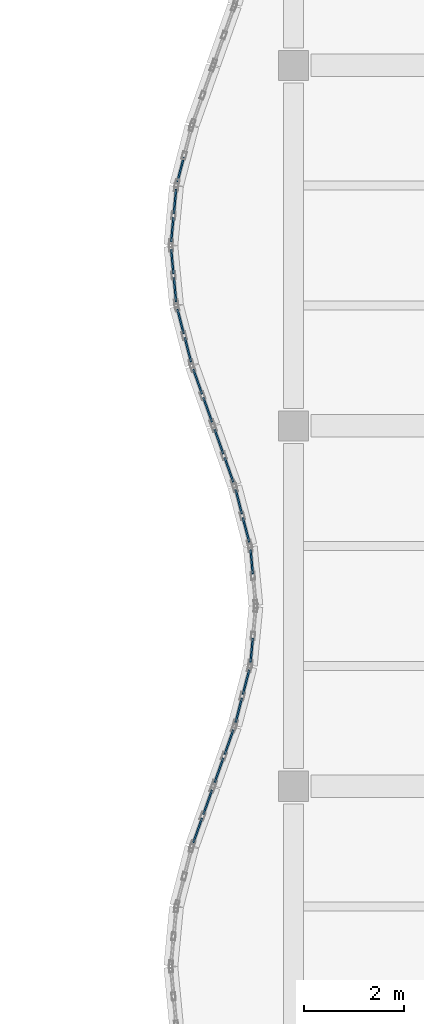
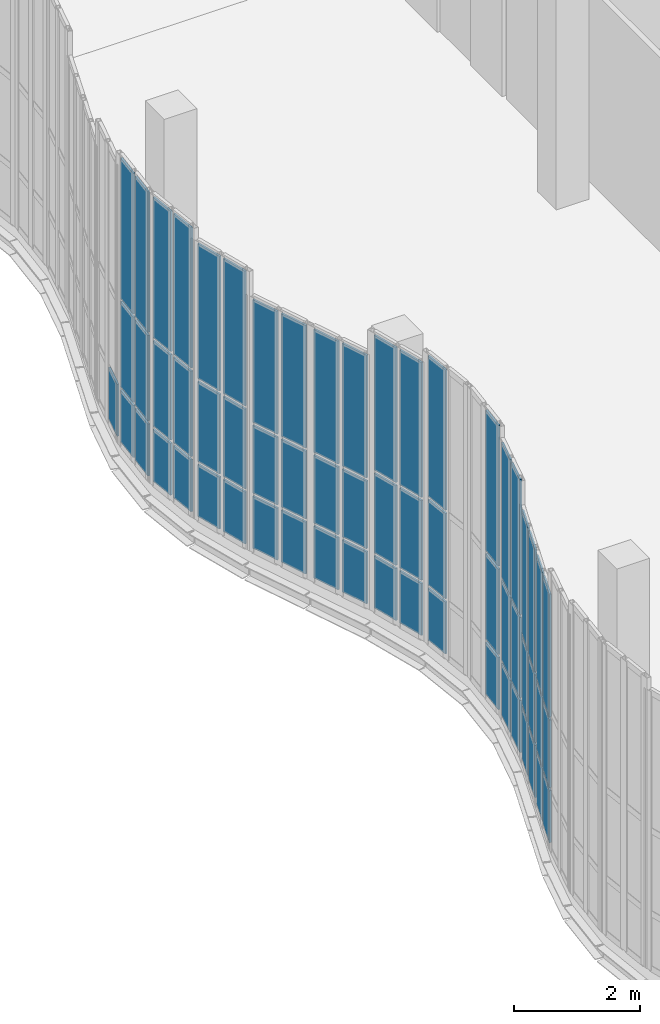
# One storey, part 73 of 105: 61 plates, 12 elements without a shape of their own.
"""IFC4 building model written with IfcOpenShell, lengths in metres."""

from ifc_helpers import new_model, si_unit, direction, frame, origin, origin_2d, place, context, subcontext, project, spatial, rectangle, extrude, material, layer, layer_set, type_object, element, aggregate, save


model = new_model("IFC4")

# Units and contexts
model_context = context("Model", 3, precision=1e-05, world=origin(), true_north=direction((0.0, 1.0)))
body_context = subcontext(model_context, "Body", "Model", "MODEL_VIEW")
ifc_project = project(units=[si_unit("LENGTHUNIT", "METRE"), si_unit("AREAUNIT", "SQUARE_METRE"), si_unit("VOLUMEUNIT", "CUBIC_METRE"), si_unit("PLANEANGLEUNIT", "RADIAN"), si_unit("MASSUNIT", "GRAM", prefix="KILO"), si_unit("THERMODYNAMICTEMPERATUREUNIT", "KELVIN"), si_unit("POWERUNIT", "WATT")], contexts=[model_context])

# Site, building, storey
site_placement = place(None, origin())
site = spatial("IfcSite", under=ifc_project, at=site_placement, CompositionType="ELEMENT")
building_placement = place(site_placement, origin())
building = spatial("IfcBuilding", under=site, at=building_placement, Name="Kaldorven Railside Theatre", CompositionType="ELEMENT")
storey_placement = place(building_placement, frame((0.0, 0.0, 9.89990234375)))
storey = spatial("IfcBuildingStorey", under=building, at=storey_placement, Name="L02", CompositionType="ELEMENT", Elevation=9.89990234375)

# Curtain wall, plates
ifc_material = material(Name="Low-E laminated solar-control glass", Category="glass")
ifc_layer_1 = layer(ifc_material, 0.159912109375, Name="Low-E laminated solar-control glass")
ifc_layer_set_1 = layer_set([ifc_layer_1], Name="Low-E laminated solar-control glass")
curtain_wall_type_1 = type_object("IfcCurtainWallType", Name="CWT-22", PredefinedType="USERDEFINED", material=ifc_layer_set_1)
curtain_wall_1_placement = place(storey_placement, origin())
curtain_wall_1 = element("IfcCurtainWall", 1, at=curtain_wall_1_placement, inside=storey, type_object=curtain_wall_type_1, Name="Sinusoidal Fluted Curtain Wall CW-L02-W06", ObjectType="FLUTED GLAZING", PredefinedType="USERDEFINED")
ifc_layer_2 = layer(ifc_material, 0.035888671875, Name="Low-E laminated solar-control glass")
ifc_layer_set_2 = layer_set([ifc_layer_2], Name="Low-E laminated solar-control glass")
plate_type = type_object("IfcPlateType", Name="CWP-CREST36", PredefinedType="CURTAIN_PANEL", material=ifc_layer_set_2)
plate_1_placement = place(storey_placement, frame((70.887939453125, 47.118896484375, 0.06005859375), z_axis=(0.0, 0.0, 1.0), x_axis=(0.33384714225, 0.942627225159, 0.0)))
plate_1 = element("IfcPlate", 2, at=plate_1_placement, type_object=plate_type, Name="CW-L02-W06 panel 1.1", PredefinedType="CURTAIN_PANEL", context=body_context, shape_type="SweptSolid", body=[
    extrude(rectangle(XDim=0.5166015625, YDim=0.035888671875, at=origin_2d()), origin(), (0.0, 0.0, 1.0), 1.010009765625),
])
plate_2_placement = place(storey_placement, frame((70.887939453125, 47.118896484375, 1.130126953125), z_axis=(0.0, 0.0, 1.0), x_axis=(0.33384714225, 0.942627225159, 0.0)))
plate_2 = element("IfcPlate", 3, at=plate_2_placement, type_object=plate_type, Name="CW-L02-W06 panel 1.2", PredefinedType="CURTAIN_PANEL", context=body_context, shape_type="SweptSolid", body=[
    extrude(rectangle(XDim=0.5166015625, YDim=0.035888671875, at=origin_2d()), origin(), (0.0, 0.0, 1.0), 1.31494140625),
])
plate_3_placement = place(storey_placement, frame((70.887939453125, 47.118896484375, 2.5048828125), z_axis=(0.0, 0.0, 1.0), x_axis=(0.33384714225, 0.942627225159, 0.0)))
plate_3 = element("IfcPlate", 4, at=plate_3_placement, type_object=plate_type, Name="CW-L02-W06 panel 1.3", PredefinedType="CURTAIN_PANEL", context=body_context, shape_type="SweptSolid", body=[
    extrude(rectangle(XDim=0.5166015625, YDim=0.035888671875, at=origin_2d()), origin(), (0.0, 0.0, 1.0), 2.385009765625),
])
plate_4_placement = place(storey_placement, frame((71.087158203125, 47.68115234375, 0.06005859375), z_axis=(0.0, 0.0, 1.0), x_axis=(0.33384714225, 0.942627225159, 0.0)))
plate_4 = element("IfcPlate", 5, at=plate_4_placement, type_object=plate_type, Name="CW-L02-W06 panel 2.1", PredefinedType="CURTAIN_PANEL", context=body_context, shape_type="SweptSolid", body=[
    extrude(rectangle(XDim=0.5166015625, YDim=0.035888671875, at=origin_2d()), origin(), (0.0, 0.0, 1.0), 1.010009765625),
])
plate_5_placement = place(storey_placement, frame((71.087158203125, 47.68115234375, 1.130126953125), z_axis=(0.0, 0.0, 1.0), x_axis=(0.33384714225, 0.942627225159, 0.0)))
plate_5 = element("IfcPlate", 6, at=plate_5_placement, type_object=plate_type, Name="CW-L02-W06 panel 2.2", PredefinedType="CURTAIN_PANEL", context=body_context, shape_type="SweptSolid", body=[
    extrude(rectangle(XDim=0.5166015625, YDim=0.035888671875, at=origin_2d()), origin(), (0.0, 0.0, 1.0), 1.31494140625),
])
plate_6_placement = place(storey_placement, frame((71.087158203125, 47.68115234375, 2.5048828125), z_axis=(0.0, 0.0, 1.0), x_axis=(0.33384714225, 0.942627225159, 0.0)))
plate_6 = element("IfcPlate", 7, at=plate_6_placement, type_object=plate_type, Name="CW-L02-W06 panel 2.3", PredefinedType="CURTAIN_PANEL", context=body_context, shape_type="SweptSolid", body=[
    extrude(rectangle(XDim=0.5166015625, YDim=0.035888671875, at=origin_2d()), origin(), (0.0, 0.0, 1.0), 2.385009765625),
])
aggregate(curtain_wall_1, [plate_1, plate_2, plate_3, plate_4, plate_5, plate_6])

curtain_wall_2_placement = place(storey_placement, origin())
curtain_wall_2 = element("IfcCurtainWall", 8, at=curtain_wall_2_placement, inside=storey, type_object=curtain_wall_type_1, Name="Sinusoidal Fluted Curtain Wall CW-L02-W07", ObjectType="FLUTED GLAZING", PredefinedType="USERDEFINED")
plate_7_placement = place(storey_placement, frame((71.31298828125, 48.31884765625, 0.06005859375), z_axis=(0.0, 0.0, 1.0), x_axis=(0.33384714225, 0.942627225159, 0.0)))
plate_7 = element("IfcPlate", 9, at=plate_7_placement, type_object=plate_type, Name="CW-L02-W07 panel 1.1", PredefinedType="CURTAIN_PANEL", context=body_context, shape_type="SweptSolid", body=[
    extrude(rectangle(XDim=0.5166015625, YDim=0.035888671875, at=origin_2d()), origin(), (0.0, 0.0, 1.0), 1.010009765625),
])
plate_8_placement = place(storey_placement, frame((71.31298828125, 48.31884765625, 1.130126953125), z_axis=(0.0, 0.0, 1.0), x_axis=(0.33384714225, 0.942627225159, 0.0)))
plate_8 = element("IfcPlate", 10, at=plate_8_placement, type_object=plate_type, Name="CW-L02-W07 panel 1.2", PredefinedType="CURTAIN_PANEL", context=body_context, shape_type="SweptSolid", body=[
    extrude(rectangle(XDim=0.5166015625, YDim=0.035888671875, at=origin_2d()), origin(), (0.0, 0.0, 1.0), 1.31494140625),
])
plate_9_placement = place(storey_placement, frame((71.31298828125, 48.31884765625, 2.5048828125), z_axis=(0.0, 0.0, 1.0), x_axis=(0.33384714225, 0.942627225159, 0.0)))
plate_9 = element("IfcPlate", 11, at=plate_9_placement, type_object=plate_type, Name="CW-L02-W07 panel 1.3", PredefinedType="CURTAIN_PANEL", context=body_context, shape_type="SweptSolid", body=[
    extrude(rectangle(XDim=0.5166015625, YDim=0.035888671875, at=origin_2d()), origin(), (0.0, 0.0, 1.0), 2.385009765625),
])
plate_10_placement = place(storey_placement, frame((71.511962890625, 48.881103515625, 0.06005859375), z_axis=(0.0, 0.0, 1.0), x_axis=(0.33384714225, 0.942627225159, 0.0)))
plate_10 = element("IfcPlate", 12, at=plate_10_placement, type_object=plate_type, Name="CW-L02-W07 panel 2.1", PredefinedType="CURTAIN_PANEL", context=body_context, shape_type="SweptSolid", body=[
    extrude(rectangle(XDim=0.5166015625, YDim=0.035888671875, at=origin_2d()), origin(), (0.0, 0.0, 1.0), 1.010009765625),
])
plate_11_placement = place(storey_placement, frame((71.511962890625, 48.881103515625, 1.130126953125), z_axis=(0.0, 0.0, 1.0), x_axis=(0.33384714225, 0.942627225159, 0.0)))
plate_11 = element("IfcPlate", 13, at=plate_11_placement, type_object=plate_type, Name="CW-L02-W07 panel 2.2", PredefinedType="CURTAIN_PANEL", context=body_context, shape_type="SweptSolid", body=[
    extrude(rectangle(XDim=0.5166015625, YDim=0.035888671875, at=origin_2d()), origin(), (0.0, 0.0, 1.0), 1.31494140625),
])
plate_12_placement = place(storey_placement, frame((71.511962890625, 48.881103515625, 2.5048828125), z_axis=(0.0, 0.0, 1.0), x_axis=(0.33384714225, 0.942627225159, 0.0)))
plate_12 = element("IfcPlate", 14, at=plate_12_placement, type_object=plate_type, Name="CW-L02-W07 panel 2.3", PredefinedType="CURTAIN_PANEL", context=body_context, shape_type="SweptSolid", body=[
    extrude(rectangle(XDim=0.5166015625, YDim=0.035888671875, at=origin_2d()), origin(), (0.0, 0.0, 1.0), 2.385009765625),
])
aggregate(curtain_wall_2, [plate_7, plate_8, plate_9, plate_10, plate_11, plate_12])

ifc_layer_3 = layer(ifc_material, 0.159912109375, Name="Low-E laminated solar-control glass")
ifc_layer_set_3 = layer_set([ifc_layer_3], Name="Low-E laminated solar-control glass")
curtain_wall_type_2 = type_object("IfcCurtainWallType", Name="CWT-23", PredefinedType="USERDEFINED", material=ifc_layer_set_3)
curtain_wall_3_placement = place(storey_placement, origin())
curtain_wall_3 = element("IfcCurtainWall", 15, at=curtain_wall_3_placement, inside=storey, type_object=curtain_wall_type_2, Name="Sinusoidal Fluted Curtain Wall CW-L02-W08", ObjectType="FLUTED GLAZING", PredefinedType="USERDEFINED")
plate_13_placement = place(storey_placement, frame((71.707763671875, 49.519287109375, 0.06005859375), z_axis=(0.0, 0.0, 1.0), x_axis=(0.250953760326, 0.967999075505, 0.0)))
plate_13 = element("IfcPlate", 16, at=plate_13_placement, type_object=plate_type, Name="CW-L02-W08 panel 1.1", PredefinedType="CURTAIN_PANEL", context=body_context, shape_type="SweptSolid", body=[
    extrude(rectangle(XDim=0.499755859375, YDim=0.035888671875, at=origin_2d()), origin(), (0.0, 0.0, 1.0), 1.010009765625),
])
plate_14_placement = place(storey_placement, frame((71.707763671875, 49.519287109375, 1.1298828125), z_axis=(0.0, 0.0, 1.0), x_axis=(0.250953760326, 0.967999075505, 0.0)))
plate_14 = element("IfcPlate", 17, at=plate_14_placement, type_object=plate_type, Name="CW-L02-W08 panel 1.2", PredefinedType="CURTAIN_PANEL", context=body_context, shape_type="SweptSolid", body=[
    extrude(rectangle(XDim=0.499755859375, YDim=0.035888671875, at=origin_2d()), origin(), (0.0, 0.0, 1.0), 1.550048828125),
])
plate_15_placement = place(storey_placement, frame((71.707763671875, 49.519287109375, 2.739990234375), z_axis=(0.0, 0.0, 1.0), x_axis=(0.250953760326, 0.967999075505, 0.0)))
plate_15 = element("IfcPlate", 18, at=plate_15_placement, type_object=plate_type, Name="CW-L02-W08 panel 1.3", PredefinedType="CURTAIN_PANEL", context=body_context, shape_type="SweptSolid", body=[
    extrude(rectangle(XDim=0.499755859375, YDim=0.035888671875, at=origin_2d()), origin(), (0.0, 0.0, 1.0), 2.6201171875),
])
plate_16_placement = place(storey_placement, frame((71.853271484375, 50.08056640625, 0.06005859375), z_axis=(0.0, 0.0, 1.0), x_axis=(0.250953760326, 0.967999075505, 0.0)))
plate_16 = element("IfcPlate", 19, at=plate_16_placement, type_object=plate_type, Name="CW-L02-W08 panel 2.1", PredefinedType="CURTAIN_PANEL", context=body_context, shape_type="SweptSolid", body=[
    extrude(rectangle(XDim=0.499755859375, YDim=0.035888671875, at=origin_2d()), origin(), (0.0, 0.0, 1.0), 1.010009765625),
])
plate_17_placement = place(storey_placement, frame((71.853271484375, 50.08056640625, 1.1298828125), z_axis=(0.0, 0.0, 1.0), x_axis=(0.250953760326, 0.967999075505, 0.0)))
plate_17 = element("IfcPlate", 20, at=plate_17_placement, type_object=plate_type, Name="CW-L02-W08 panel 2.2", PredefinedType="CURTAIN_PANEL", context=body_context, shape_type="SweptSolid", body=[
    extrude(rectangle(XDim=0.499755859375, YDim=0.035888671875, at=origin_2d()), origin(), (0.0, 0.0, 1.0), 1.550048828125),
])
plate_18_placement = place(storey_placement, frame((71.853271484375, 50.08056640625, 2.739990234375), z_axis=(0.0, 0.0, 1.0), x_axis=(0.250953760326, 0.967999075505, 0.0)))
plate_18 = element("IfcPlate", 21, at=plate_18_placement, type_object=plate_type, Name="CW-L02-W08 panel 2.3", PredefinedType="CURTAIN_PANEL", context=body_context, shape_type="SweptSolid", body=[
    extrude(rectangle(XDim=0.499755859375, YDim=0.035888671875, at=origin_2d()), origin(), (0.0, 0.0, 1.0), 2.6201171875),
])
aggregate(curtain_wall_3, [plate_13, plate_14, plate_15, plate_16, plate_17, plate_18])

ifc_layer_4 = layer(ifc_material, 0.159912109375, Name="Low-E laminated solar-control glass")
ifc_layer_set_4 = layer_set([ifc_layer_4], Name="Low-E laminated solar-control glass")
curtain_wall_type_3 = type_object("IfcCurtainWallType", Name="CWT-24", PredefinedType="USERDEFINED", material=ifc_layer_set_4)
curtain_wall_4_placement = place(storey_placement, origin())
curtain_wall_4 = element("IfcCurtainWall", 22, at=curtain_wall_4_placement, inside=storey, type_object=curtain_wall_type_3, Name="Sinusoidal Fluted Curtain Wall CW-L02-W09", ObjectType="FLUTED GLAZING", PredefinedType="USERDEFINED")
plate_19_placement = place(storey_placement, frame((71.966552734375, 50.719970703125, 0.06005859375), z_axis=(0.0, 0.0, 1.0), x_axis=(0.094491973758, 0.995525623425, 0.0)))
plate_19 = element("IfcPlate", 23, at=plate_19_placement, type_object=plate_type, Name="CW-L02-W09 panel 1.1", PredefinedType="CURTAIN_PANEL", context=body_context, shape_type="SweptSolid", body=[
    extrude(rectangle(XDim=0.482666015625, YDim=0.035888671875, at=origin_2d()), origin(), (0.0, 0.0, 1.0), 1.010009765625),
])
plate_20_placement = place(storey_placement, frame((71.966552734375, 50.719970703125, 1.13037109375), z_axis=(0.0, 0.0, 1.0), x_axis=(0.094491973758, 0.995525623425, 0.0)))
plate_20 = element("IfcPlate", 24, at=plate_20_placement, type_object=plate_type, Name="CW-L02-W09 panel 1.2", PredefinedType="CURTAIN_PANEL", context=body_context, shape_type="SweptSolid", body=[
    extrude(rectangle(XDim=0.482666015625, YDim=0.035888671875, at=origin_2d()), origin(), (0.0, 0.0, 1.0), 1.659912109375),
])
plate_21_placement = place(storey_placement, frame((71.966552734375, 50.719970703125, 2.85009765625), z_axis=(0.0, 0.0, 1.0), x_axis=(0.094491973758, 0.995525623425, 0.0)))
plate_21 = element("IfcPlate", 25, at=plate_21_placement, type_object=plate_type, Name="CW-L02-W09 panel 1.3", PredefinedType="CURTAIN_PANEL", context=body_context, shape_type="SweptSolid", body=[
    extrude(rectangle(XDim=0.482666015625, YDim=0.035888671875, at=origin_2d()), origin(), (0.0, 0.0, 1.0), 2.72998046875),
])
aggregate(curtain_wall_4, [plate_19, plate_20, plate_21])

curtain_wall_5_placement = place(storey_placement, origin())
curtain_wall_5 = element("IfcCurtainWall", 26, at=curtain_wall_5_placement, inside=storey, type_object=curtain_wall_type_3, Name="Sinusoidal Fluted Curtain Wall CW-L02-W10", ObjectType="FLUTED GLAZING", PredefinedType="USERDEFINED")
plate_22_placement = place(storey_placement, frame((71.966552734375, 52.47998046875, 0.06005859375), z_axis=(0.0, 0.0, 1.0), x_axis=(-0.094491973758, 0.995525623425, 0.0)))
plate_22 = element("IfcPlate", 27, at=plate_22_placement, type_object=plate_type, Name="CW-L02-W10 panel 2.1", PredefinedType="CURTAIN_PANEL", context=body_context, shape_type="SweptSolid", body=[
    extrude(rectangle(XDim=0.482666015625, YDim=0.035888671875, at=origin_2d()), origin(), (0.0, 0.0, 1.0), 1.010009765625),
])
plate_23_placement = place(storey_placement, frame((71.966552734375, 52.47998046875, 1.13037109375), z_axis=(0.0, 0.0, 1.0), x_axis=(-0.094491973758, 0.995525623425, 0.0)))
plate_23 = element("IfcPlate", 28, at=plate_23_placement, type_object=plate_type, Name="CW-L02-W10 panel 2.2", PredefinedType="CURTAIN_PANEL", context=body_context, shape_type="SweptSolid", body=[
    extrude(rectangle(XDim=0.482666015625, YDim=0.035888671875, at=origin_2d()), origin(), (0.0, 0.0, 1.0), 1.659912109375),
])
plate_24_placement = place(storey_placement, frame((71.966552734375, 52.47998046875, 2.85009765625), z_axis=(0.0, 0.0, 1.0), x_axis=(-0.094491973758, 0.995525623425, 0.0)))
plate_24 = element("IfcPlate", 29, at=plate_24_placement, type_object=plate_type, Name="CW-L02-W10 panel 2.3", PredefinedType="CURTAIN_PANEL", context=body_context, shape_type="SweptSolid", body=[
    extrude(rectangle(XDim=0.482666015625, YDim=0.035888671875, at=origin_2d()), origin(), (0.0, 0.0, 1.0), 2.72998046875),
])
aggregate(curtain_wall_5, [plate_22, plate_23, plate_24])

curtain_wall_6_placement = place(storey_placement, origin())
curtain_wall_6 = element("IfcCurtainWall", 30, at=curtain_wall_6_placement, inside=storey, type_object=curtain_wall_type_2, Name="Sinusoidal Fluted Curtain Wall CW-L02-W11", ObjectType="FLUTED GLAZING", PredefinedType="USERDEFINED")
plate_25_placement = place(storey_placement, frame((71.853271484375, 53.119384765625, 0.06005859375), z_axis=(0.0, 0.0, 1.0), x_axis=(-0.250953760326, 0.967999075505, 0.0)))
plate_25 = element("IfcPlate", 31, at=plate_25_placement, type_object=plate_type, Name="CW-L02-W11 panel 1.1", PredefinedType="CURTAIN_PANEL", context=body_context, shape_type="SweptSolid", body=[
    extrude(rectangle(XDim=0.499755859375, YDim=0.035888671875, at=origin_2d()), origin(), (0.0, 0.0, 1.0), 1.010009765625),
])
plate_26_placement = place(storey_placement, frame((71.853271484375, 53.119384765625, 1.1298828125), z_axis=(0.0, 0.0, 1.0), x_axis=(-0.250953760326, 0.967999075505, 0.0)))
plate_26 = element("IfcPlate", 32, at=plate_26_placement, type_object=plate_type, Name="CW-L02-W11 panel 1.2", PredefinedType="CURTAIN_PANEL", context=body_context, shape_type="SweptSolid", body=[
    extrude(rectangle(XDim=0.499755859375, YDim=0.035888671875, at=origin_2d()), origin(), (0.0, 0.0, 1.0), 1.550048828125),
])
plate_27_placement = place(storey_placement, frame((71.853271484375, 53.119384765625, 2.739990234375), z_axis=(0.0, 0.0, 1.0), x_axis=(-0.250953760326, 0.967999075505, 0.0)))
plate_27 = element("IfcPlate", 33, at=plate_27_placement, type_object=plate_type, Name="CW-L02-W11 panel 1.3", PredefinedType="CURTAIN_PANEL", context=body_context, shape_type="SweptSolid", body=[
    extrude(rectangle(XDim=0.499755859375, YDim=0.035888671875, at=origin_2d()), origin(), (0.0, 0.0, 1.0), 2.6201171875),
])
plate_28_placement = place(storey_placement, frame((71.707763671875, 53.6806640625, 0.06005859375), z_axis=(0.0, 0.0, 1.0), x_axis=(-0.250953760326, 0.967999075505, 0.0)))
plate_28 = element("IfcPlate", 34, at=plate_28_placement, type_object=plate_type, Name="CW-L02-W11 panel 2.1", PredefinedType="CURTAIN_PANEL", context=body_context, shape_type="SweptSolid", body=[
    extrude(rectangle(XDim=0.499755859375, YDim=0.035888671875, at=origin_2d()), origin(), (0.0, 0.0, 1.0), 1.010009765625),
])
plate_29_placement = place(storey_placement, frame((71.707763671875, 53.6806640625, 1.1298828125), z_axis=(0.0, 0.0, 1.0), x_axis=(-0.250953760326, 0.967999075505, 0.0)))
plate_29 = element("IfcPlate", 35, at=plate_29_placement, type_object=plate_type, Name="CW-L02-W11 panel 2.2", PredefinedType="CURTAIN_PANEL", context=body_context, shape_type="SweptSolid", body=[
    extrude(rectangle(XDim=0.499755859375, YDim=0.035888671875, at=origin_2d()), origin(), (0.0, 0.0, 1.0), 1.550048828125),
])
plate_30_placement = place(storey_placement, frame((71.707763671875, 53.6806640625, 2.739990234375), z_axis=(0.0, 0.0, 1.0), x_axis=(-0.250953760326, 0.967999075505, 0.0)))
plate_30 = element("IfcPlate", 36, at=plate_30_placement, type_object=plate_type, Name="CW-L02-W11 panel 2.3", PredefinedType="CURTAIN_PANEL", context=body_context, shape_type="SweptSolid", body=[
    extrude(rectangle(XDim=0.499755859375, YDim=0.035888671875, at=origin_2d()), origin(), (0.0, 0.0, 1.0), 2.6201171875),
])
aggregate(curtain_wall_6, [plate_25, plate_26, plate_27, plate_28, plate_29, plate_30])

curtain_wall_7_placement = place(storey_placement, origin())
curtain_wall_7 = element("IfcCurtainWall", 37, at=curtain_wall_7_placement, inside=storey, type_object=curtain_wall_type_1, Name="Sinusoidal Fluted Curtain Wall CW-L02-W12", ObjectType="FLUTED GLAZING", PredefinedType="USERDEFINED")
plate_31_placement = place(storey_placement, frame((71.511962890625, 54.31884765625, 0.06005859375), z_axis=(0.0, 0.0, 1.0), x_axis=(-0.33384714225, 0.942627225159, 0.0)))
plate_31 = element("IfcPlate", 38, at=plate_31_placement, type_object=plate_type, Name="CW-L02-W12 panel 1.1", PredefinedType="CURTAIN_PANEL", context=body_context, shape_type="SweptSolid", body=[
    extrude(rectangle(XDim=0.5166015625, YDim=0.035888671875, at=origin_2d()), origin(), (0.0, 0.0, 1.0), 1.010009765625),
])
plate_32_placement = place(storey_placement, frame((71.511962890625, 54.31884765625, 1.130126953125), z_axis=(0.0, 0.0, 1.0), x_axis=(-0.33384714225, 0.942627225159, 0.0)))
plate_32 = element("IfcPlate", 39, at=plate_32_placement, type_object=plate_type, Name="CW-L02-W12 panel 1.2", PredefinedType="CURTAIN_PANEL", context=body_context, shape_type="SweptSolid", body=[
    extrude(rectangle(XDim=0.5166015625, YDim=0.035888671875, at=origin_2d()), origin(), (0.0, 0.0, 1.0), 1.31494140625),
])
plate_33_placement = place(storey_placement, frame((71.511962890625, 54.31884765625, 2.5048828125), z_axis=(0.0, 0.0, 1.0), x_axis=(-0.33384714225, 0.942627225159, 0.0)))
plate_33 = element("IfcPlate", 40, at=plate_33_placement, type_object=plate_type, Name="CW-L02-W12 panel 1.3", PredefinedType="CURTAIN_PANEL", context=body_context, shape_type="SweptSolid", body=[
    extrude(rectangle(XDim=0.5166015625, YDim=0.035888671875, at=origin_2d()), origin(), (0.0, 0.0, 1.0), 2.385009765625),
])
plate_34_placement = place(storey_placement, frame((71.31298828125, 54.881103515625, 0.06005859375), z_axis=(0.0, 0.0, 1.0), x_axis=(-0.33384714225, 0.942627225159, 0.0)))
plate_34 = element("IfcPlate", 41, at=plate_34_placement, type_object=plate_type, Name="CW-L02-W12 panel 2.1", PredefinedType="CURTAIN_PANEL", context=body_context, shape_type="SweptSolid", body=[
    extrude(rectangle(XDim=0.5166015625, YDim=0.035888671875, at=origin_2d()), origin(), (0.0, 0.0, 1.0), 1.010009765625),
])
plate_35_placement = place(storey_placement, frame((71.31298828125, 54.881103515625, 1.130126953125), z_axis=(0.0, 0.0, 1.0), x_axis=(-0.33384714225, 0.942627225159, 0.0)))
plate_35 = element("IfcPlate", 42, at=plate_35_placement, type_object=plate_type, Name="CW-L02-W12 panel 2.2", PredefinedType="CURTAIN_PANEL", context=body_context, shape_type="SweptSolid", body=[
    extrude(rectangle(XDim=0.5166015625, YDim=0.035888671875, at=origin_2d()), origin(), (0.0, 0.0, 1.0), 1.31494140625),
])
plate_36_placement = place(storey_placement, frame((71.31298828125, 54.881103515625, 2.5048828125), z_axis=(0.0, 0.0, 1.0), x_axis=(-0.33384714225, 0.942627225159, 0.0)))
plate_36 = element("IfcPlate", 43, at=plate_36_placement, type_object=plate_type, Name="CW-L02-W12 panel 2.3", PredefinedType="CURTAIN_PANEL", context=body_context, shape_type="SweptSolid", body=[
    extrude(rectangle(XDim=0.5166015625, YDim=0.035888671875, at=origin_2d()), origin(), (0.0, 0.0, 1.0), 2.385009765625),
])
aggregate(curtain_wall_7, [plate_31, plate_32, plate_33, plate_34, plate_35, plate_36])

curtain_wall_8_placement = place(storey_placement, origin())
curtain_wall_8 = element("IfcCurtainWall", 44, at=curtain_wall_8_placement, inside=storey, type_object=curtain_wall_type_1, Name="Sinusoidal Fluted Curtain Wall CW-L02-W13", ObjectType="FLUTED GLAZING", PredefinedType="USERDEFINED")
plate_37_placement = place(storey_placement, frame((71.087158203125, 55.518798828125, 0.06005859375), z_axis=(0.0, 0.0, 1.0), x_axis=(-0.33384714225, 0.942627225159, 0.0)))
plate_37 = element("IfcPlate", 45, at=plate_37_placement, type_object=plate_type, Name="CW-L02-W13 panel 1.1", PredefinedType="CURTAIN_PANEL", context=body_context, shape_type="SweptSolid", body=[
    extrude(rectangle(XDim=0.5166015625, YDim=0.035888671875, at=origin_2d()), origin(), (0.0, 0.0, 1.0), 1.010009765625),
])
plate_38_placement = place(storey_placement, frame((71.087158203125, 55.518798828125, 1.130126953125), z_axis=(0.0, 0.0, 1.0), x_axis=(-0.33384714225, 0.942627225159, 0.0)))
plate_38 = element("IfcPlate", 46, at=plate_38_placement, type_object=plate_type, Name="CW-L02-W13 panel 1.2", PredefinedType="CURTAIN_PANEL", context=body_context, shape_type="SweptSolid", body=[
    extrude(rectangle(XDim=0.5166015625, YDim=0.035888671875, at=origin_2d()), origin(), (0.0, 0.0, 1.0), 1.31494140625),
])
plate_39_placement = place(storey_placement, frame((71.087158203125, 55.518798828125, 2.5048828125), z_axis=(0.0, 0.0, 1.0), x_axis=(-0.33384714225, 0.942627225159, 0.0)))
plate_39 = element("IfcPlate", 47, at=plate_39_placement, type_object=plate_type, Name="CW-L02-W13 panel 1.3", PredefinedType="CURTAIN_PANEL", context=body_context, shape_type="SweptSolid", body=[
    extrude(rectangle(XDim=0.5166015625, YDim=0.035888671875, at=origin_2d()), origin(), (0.0, 0.0, 1.0), 2.385009765625),
])
plate_40_placement = place(storey_placement, frame((70.887939453125, 56.0810546875, 0.06005859375), z_axis=(0.0, 0.0, 1.0), x_axis=(-0.33384714225, 0.942627225159, 0.0)))
plate_40 = element("IfcPlate", 48, at=plate_40_placement, type_object=plate_type, Name="CW-L02-W13 panel 2.1", PredefinedType="CURTAIN_PANEL", context=body_context, shape_type="SweptSolid", body=[
    extrude(rectangle(XDim=0.5166015625, YDim=0.035888671875, at=origin_2d()), origin(), (0.0, 0.0, 1.0), 1.010009765625),
])
plate_41_placement = place(storey_placement, frame((70.887939453125, 56.0810546875, 1.130126953125), z_axis=(0.0, 0.0, 1.0), x_axis=(-0.33384714225, 0.942627225159, 0.0)))
plate_41 = element("IfcPlate", 49, at=plate_41_placement, type_object=plate_type, Name="CW-L02-W13 panel 2.2", PredefinedType="CURTAIN_PANEL", context=body_context, shape_type="SweptSolid", body=[
    extrude(rectangle(XDim=0.5166015625, YDim=0.035888671875, at=origin_2d()), origin(), (0.0, 0.0, 1.0), 1.31494140625),
])
plate_42_placement = place(storey_placement, frame((70.887939453125, 56.0810546875, 2.5048828125), z_axis=(0.0, 0.0, 1.0), x_axis=(-0.33384714225, 0.942627225159, 0.0)))
plate_42 = element("IfcPlate", 50, at=plate_42_placement, type_object=plate_type, Name="CW-L02-W13 panel 2.3", PredefinedType="CURTAIN_PANEL", context=body_context, shape_type="SweptSolid", body=[
    extrude(rectangle(XDim=0.5166015625, YDim=0.035888671875, at=origin_2d()), origin(), (0.0, 0.0, 1.0), 2.385009765625),
])
aggregate(curtain_wall_8, [plate_37, plate_38, plate_39, plate_40, plate_41, plate_42])

curtain_wall_9_placement = place(storey_placement, origin())
curtain_wall_9 = element("IfcCurtainWall", 51, at=curtain_wall_9_placement, inside=storey, type_object=curtain_wall_type_2, Name="Sinusoidal Fluted Curtain Wall CW-L02-W14", ObjectType="FLUTED GLAZING", PredefinedType="USERDEFINED")
plate_43_placement = place(storey_placement, frame((70.692138671875, 56.71923828125, 0.06005859375), z_axis=(0.0, 0.0, 1.0), x_axis=(-0.250953760326, 0.967999075505, 0.0)))
plate_43 = element("IfcPlate", 52, at=plate_43_placement, type_object=plate_type, Name="CW-L02-W14 panel 1.1", PredefinedType="CURTAIN_PANEL", context=body_context, shape_type="SweptSolid", body=[
    extrude(rectangle(XDim=0.499755859375, YDim=0.035888671875, at=origin_2d()), origin(), (0.0, 0.0, 1.0), 1.010009765625),
])
plate_44_placement = place(storey_placement, frame((70.692138671875, 56.71923828125, 1.1298828125), z_axis=(0.0, 0.0, 1.0), x_axis=(-0.250953760326, 0.967999075505, 0.0)))
plate_44 = element("IfcPlate", 53, at=plate_44_placement, type_object=plate_type, Name="CW-L02-W14 panel 1.2", PredefinedType="CURTAIN_PANEL", context=body_context, shape_type="SweptSolid", body=[
    extrude(rectangle(XDim=0.499755859375, YDim=0.035888671875, at=origin_2d()), origin(), (0.0, 0.0, 1.0), 1.550048828125),
])
plate_45_placement = place(storey_placement, frame((70.692138671875, 56.71923828125, 2.739990234375), z_axis=(0.0, 0.0, 1.0), x_axis=(-0.250953760326, 0.967999075505, 0.0)))
plate_45 = element("IfcPlate", 54, at=plate_45_placement, type_object=plate_type, Name="CW-L02-W14 panel 1.3", PredefinedType="CURTAIN_PANEL", context=body_context, shape_type="SweptSolid", body=[
    extrude(rectangle(XDim=0.499755859375, YDim=0.035888671875, at=origin_2d()), origin(), (0.0, 0.0, 1.0), 2.6201171875),
])
plate_46_placement = place(storey_placement, frame((70.546630859375, 57.28076171875, 0.06005859375), z_axis=(0.0, 0.0, 1.0), x_axis=(-0.250953760326, 0.967999075505, 0.0)))
plate_46 = element("IfcPlate", 55, at=plate_46_placement, type_object=plate_type, Name="CW-L02-W14 panel 2.1", PredefinedType="CURTAIN_PANEL", context=body_context, shape_type="SweptSolid", body=[
    extrude(rectangle(XDim=0.499755859375, YDim=0.035888671875, at=origin_2d()), origin(), (0.0, 0.0, 1.0), 1.010009765625),
])
plate_47_placement = place(storey_placement, frame((70.546630859375, 57.28076171875, 1.1298828125), z_axis=(0.0, 0.0, 1.0), x_axis=(-0.250953760326, 0.967999075505, 0.0)))
plate_47 = element("IfcPlate", 56, at=plate_47_placement, type_object=plate_type, Name="CW-L02-W14 panel 2.2", PredefinedType="CURTAIN_PANEL", context=body_context, shape_type="SweptSolid", body=[
    extrude(rectangle(XDim=0.499755859375, YDim=0.035888671875, at=origin_2d()), origin(), (0.0, 0.0, 1.0), 1.550048828125),
])
plate_48_placement = place(storey_placement, frame((70.546630859375, 57.28076171875, 2.739990234375), z_axis=(0.0, 0.0, 1.0), x_axis=(-0.250953760326, 0.967999075505, 0.0)))
plate_48 = element("IfcPlate", 57, at=plate_48_placement, type_object=plate_type, Name="CW-L02-W14 panel 2.3", PredefinedType="CURTAIN_PANEL", context=body_context, shape_type="SweptSolid", body=[
    extrude(rectangle(XDim=0.499755859375, YDim=0.035888671875, at=origin_2d()), origin(), (0.0, 0.0, 1.0), 2.6201171875),
])
aggregate(curtain_wall_9, [plate_43, plate_44, plate_45, plate_46, plate_47, plate_48])

curtain_wall_10_placement = place(storey_placement, origin())
curtain_wall_10 = element("IfcCurtainWall", 58, at=curtain_wall_10_placement, inside=storey, type_object=curtain_wall_type_3, Name="Sinusoidal Fluted Curtain Wall CW-L02-W15", ObjectType="FLUTED GLAZING", PredefinedType="USERDEFINED")
plate_49_placement = place(storey_placement, frame((70.43359375, 57.919921875, 0.06005859375), z_axis=(0.0, 0.0, 1.0), x_axis=(-0.094491973758, 0.995525623425, 0.0)))
plate_49 = element("IfcPlate", 59, at=plate_49_placement, type_object=plate_type, Name="CW-L02-W15 panel 1.1", PredefinedType="CURTAIN_PANEL", context=body_context, shape_type="SweptSolid", body=[
    extrude(rectangle(XDim=0.482666015625, YDim=0.035888671875, at=origin_2d()), origin(), (0.0, 0.0, 1.0), 1.010009765625),
])
plate_50_placement = place(storey_placement, frame((70.43359375, 57.919921875, 1.13037109375), z_axis=(0.0, 0.0, 1.0), x_axis=(-0.094491973758, 0.995525623425, 0.0)))
plate_50 = element("IfcPlate", 60, at=plate_50_placement, type_object=plate_type, Name="CW-L02-W15 panel 1.2", PredefinedType="CURTAIN_PANEL", context=body_context, shape_type="SweptSolid", body=[
    extrude(rectangle(XDim=0.482666015625, YDim=0.035888671875, at=origin_2d()), origin(), (0.0, 0.0, 1.0), 1.659912109375),
])
plate_51_placement = place(storey_placement, frame((70.43359375, 57.919921875, 2.85009765625), z_axis=(0.0, 0.0, 1.0), x_axis=(-0.094491973758, 0.995525623425, 0.0)))
plate_51 = element("IfcPlate", 61, at=plate_51_placement, type_object=plate_type, Name="CW-L02-W15 panel 1.3", PredefinedType="CURTAIN_PANEL", context=body_context, shape_type="SweptSolid", body=[
    extrude(rectangle(XDim=0.482666015625, YDim=0.035888671875, at=origin_2d()), origin(), (0.0, 0.0, 1.0), 2.72998046875),
])
plate_52_placement = place(storey_placement, frame((70.38037109375, 58.47998046875, 0.06005859375), z_axis=(0.0, 0.0, 1.0), x_axis=(-0.094491973758, 0.995525623425, 0.0)))
plate_52 = element("IfcPlate", 62, at=plate_52_placement, type_object=plate_type, Name="CW-L02-W15 panel 2.1", PredefinedType="CURTAIN_PANEL", context=body_context, shape_type="SweptSolid", body=[
    extrude(rectangle(XDim=0.482666015625, YDim=0.035888671875, at=origin_2d()), origin(), (0.0, 0.0, 1.0), 1.010009765625),
])
plate_53_placement = place(storey_placement, frame((70.38037109375, 58.47998046875, 1.13037109375), z_axis=(0.0, 0.0, 1.0), x_axis=(-0.094491973758, 0.995525623425, 0.0)))
plate_53 = element("IfcPlate", 63, at=plate_53_placement, type_object=plate_type, Name="CW-L02-W15 panel 2.2", PredefinedType="CURTAIN_PANEL", context=body_context, shape_type="SweptSolid", body=[
    extrude(rectangle(XDim=0.482666015625, YDim=0.035888671875, at=origin_2d()), origin(), (0.0, 0.0, 1.0), 1.659912109375),
])
plate_54_placement = place(storey_placement, frame((70.38037109375, 58.47998046875, 2.85009765625), z_axis=(0.0, 0.0, 1.0), x_axis=(-0.094491973758, 0.995525623425, 0.0)))
plate_54 = element("IfcPlate", 64, at=plate_54_placement, type_object=plate_type, Name="CW-L02-W15 panel 2.3", PredefinedType="CURTAIN_PANEL", context=body_context, shape_type="SweptSolid", body=[
    extrude(rectangle(XDim=0.482666015625, YDim=0.035888671875, at=origin_2d()), origin(), (0.0, 0.0, 1.0), 2.72998046875),
])
aggregate(curtain_wall_10, [plate_49, plate_50, plate_51, plate_52, plate_53, plate_54])

curtain_wall_11_placement = place(storey_placement, origin())
curtain_wall_11 = element("IfcCurtainWall", 65, at=curtain_wall_11_placement, inside=storey, type_object=curtain_wall_type_3, Name="Sinusoidal Fluted Curtain Wall CW-L02-W16", ObjectType="FLUTED GLAZING", PredefinedType="USERDEFINED")
plate_55_placement = place(storey_placement, frame((70.38037109375, 59.119873046875, 0.06005859375), z_axis=(0.0, 0.0, 1.0), x_axis=(0.094491973758, 0.995525623425, 0.0)))
plate_55 = element("IfcPlate", 66, at=plate_55_placement, type_object=plate_type, Name="CW-L02-W16 panel 1.1", PredefinedType="CURTAIN_PANEL", context=body_context, shape_type="SweptSolid", body=[
    extrude(rectangle(XDim=0.482666015625, YDim=0.035888671875, at=origin_2d()), origin(), (0.0, 0.0, 1.0), 1.010009765625),
])
plate_56_placement = place(storey_placement, frame((70.38037109375, 59.119873046875, 1.13037109375), z_axis=(0.0, 0.0, 1.0), x_axis=(0.094491973758, 0.995525623425, 0.0)))
plate_56 = element("IfcPlate", 67, at=plate_56_placement, type_object=plate_type, Name="CW-L02-W16 panel 1.2", PredefinedType="CURTAIN_PANEL", context=body_context, shape_type="SweptSolid", body=[
    extrude(rectangle(XDim=0.482666015625, YDim=0.035888671875, at=origin_2d()), origin(), (0.0, 0.0, 1.0), 1.659912109375),
])
plate_57_placement = place(storey_placement, frame((70.38037109375, 59.119873046875, 2.85009765625), z_axis=(0.0, 0.0, 1.0), x_axis=(0.094491973758, 0.995525623425, 0.0)))
plate_57 = element("IfcPlate", 68, at=plate_57_placement, type_object=plate_type, Name="CW-L02-W16 panel 1.3", PredefinedType="CURTAIN_PANEL", context=body_context, shape_type="SweptSolid", body=[
    extrude(rectangle(XDim=0.482666015625, YDim=0.035888671875, at=origin_2d()), origin(), (0.0, 0.0, 1.0), 2.72998046875),
])
plate_58_placement = place(storey_placement, frame((70.43359375, 59.68017578125, 0.06005859375), z_axis=(0.0, 0.0, 1.0), x_axis=(0.094491973758, 0.995525623425, 0.0)))
plate_58 = element("IfcPlate", 69, at=plate_58_placement, type_object=plate_type, Name="CW-L02-W16 panel 2.1", PredefinedType="CURTAIN_PANEL", context=body_context, shape_type="SweptSolid", body=[
    extrude(rectangle(XDim=0.482666015625, YDim=0.035888671875, at=origin_2d()), origin(), (0.0, 0.0, 1.0), 1.010009765625),
])
plate_59_placement = place(storey_placement, frame((70.43359375, 59.68017578125, 1.13037109375), z_axis=(0.0, 0.0, 1.0), x_axis=(0.094491973758, 0.995525623425, 0.0)))
plate_59 = element("IfcPlate", 70, at=plate_59_placement, type_object=plate_type, Name="CW-L02-W16 panel 2.2", PredefinedType="CURTAIN_PANEL", context=body_context, shape_type="SweptSolid", body=[
    extrude(rectangle(XDim=0.482666015625, YDim=0.035888671875, at=origin_2d()), origin(), (0.0, 0.0, 1.0), 1.659912109375),
])
plate_60_placement = place(storey_placement, frame((70.43359375, 59.68017578125, 2.85009765625), z_axis=(0.0, 0.0, 1.0), x_axis=(0.094491973758, 0.995525623425, 0.0)))
plate_60 = element("IfcPlate", 71, at=plate_60_placement, type_object=plate_type, Name="CW-L02-W16 panel 2.3", PredefinedType="CURTAIN_PANEL", context=body_context, shape_type="SweptSolid", body=[
    extrude(rectangle(XDim=0.482666015625, YDim=0.035888671875, at=origin_2d()), origin(), (0.0, 0.0, 1.0), 2.72998046875),
])
aggregate(curtain_wall_11, [plate_55, plate_56, plate_57, plate_58, plate_59, plate_60])

# Curtain wall, plate
curtain_wall_12_placement = place(storey_placement, origin())
curtain_wall_12 = element("IfcCurtainWall", 72, at=curtain_wall_12_placement, inside=storey, type_object=curtain_wall_type_2, Name="Sinusoidal Fluted Curtain Wall CW-L02-W17", ObjectType="FLUTED GLAZING", PredefinedType="USERDEFINED")
plate_61_placement = place(storey_placement, frame((70.546630859375, 60.3193359375, 0.06005859375), z_axis=(0.0, 0.0, 1.0), x_axis=(0.250953760326, 0.967999075505, 0.0)))
plate_61 = element("IfcPlate", 73, at=plate_61_placement, type_object=plate_type, Name="CW-L02-W17 panel 1.1", PredefinedType="CURTAIN_PANEL", context=body_context, shape_type="SweptSolid", body=[
    extrude(rectangle(XDim=0.499755859375, YDim=0.035888671875, at=origin_2d()), origin(), (0.0, 0.0, 1.0), 1.010009765625),
])
aggregate(curtain_wall_12, [plate_61])

save(model, "model.ifc")
